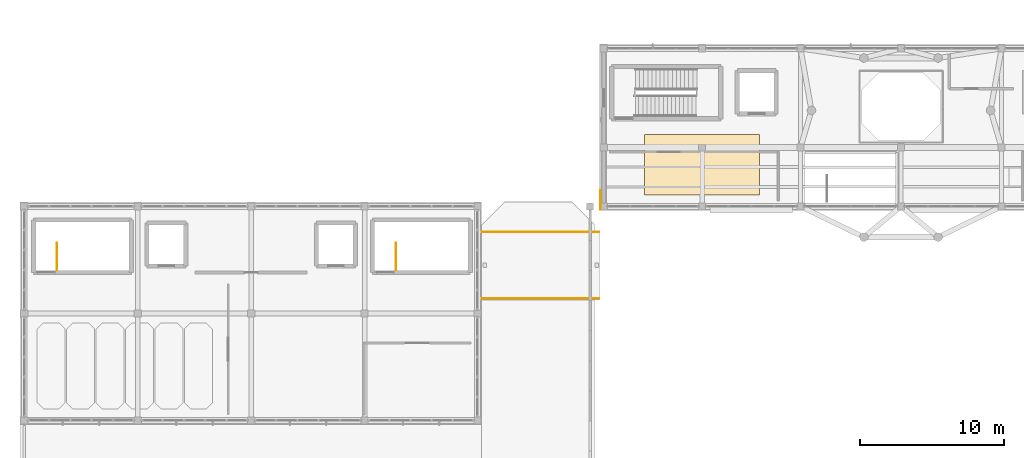
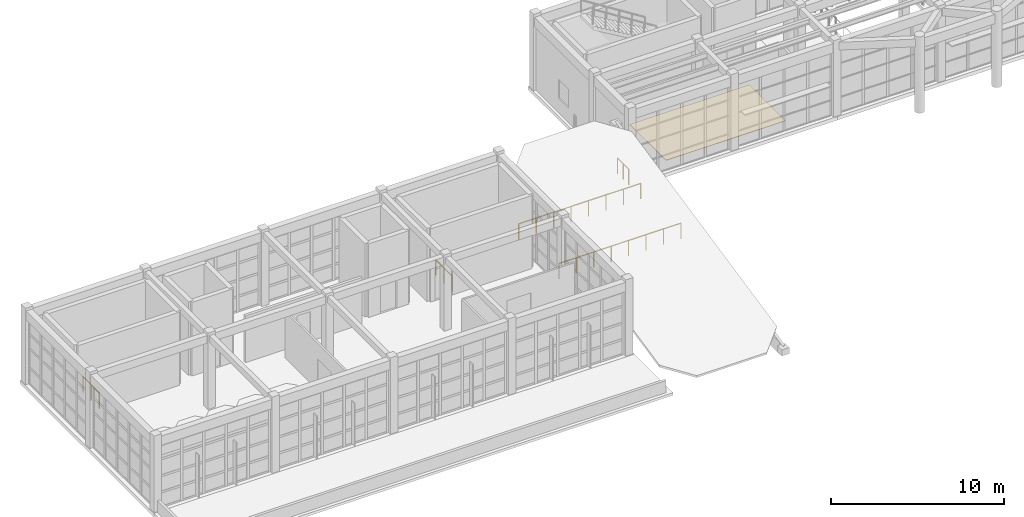
# One storey, part 97 of 103: 5 railings, 1 covering.
"""IFC4 building model written with IfcOpenShell, lengths in metres."""

from ifc_helpers import new_model, si_unit, direction, frame, origin, origin_2d, place, context, subcontext, project, spatial, rectangle, circle, extrude, material, layer, layer_set, type_object, element, save


model = new_model("IFC4")

# Units and contexts
model_context = context("Model", 3, precision=1e-05, world=origin(), true_north=direction((0.0, 1.0)))
body_context = subcontext(model_context, "Body", "Model", "MODEL_VIEW")
ifc_project = project(units=[si_unit("LENGTHUNIT", "METRE"), si_unit("AREAUNIT", "SQUARE_METRE"), si_unit("VOLUMEUNIT", "CUBIC_METRE"), si_unit("PLANEANGLEUNIT", "RADIAN"), si_unit("MASSUNIT", "GRAM", prefix="KILO")], contexts=[model_context])

# Site, building, storey
site_placement = place(None, origin())
site = spatial("IfcSite", under=ifc_project, at=site_placement, CompositionType="ELEMENT")
building_placement = place(site_placement, origin())
building = spatial("IfcBuilding", under=site, at=building_placement, Name="Candilejo Ridge Gondola Terminal", CompositionType="ELEMENT")
storey_placement = place(building_placement, frame((0.0, 0.0, 9.0)))
storey = spatial("IfcBuildingStorey", under=building, at=storey_placement, Name="L02", CompositionType="ELEMENT", Elevation=9.0)

# Covering
ifc_material_1 = material(Name="Flamed Andean grey granite tactile paving 30 mm", Category="masonry")
ifc_layer = layer(ifc_material_1, 0.030029296875)
ifc_layer_set = layer_set([ifc_layer], Name="ARC-COV-FLOORING-GRANITE")
covering_type = type_object("IfcCoveringType", Name="ARC-COV-FLOORING-GRANITE", PredefinedType="FLOORING", material=ifc_layer_set)
covering_placement = place(storey_placement, frame((51.5, 28.60009765625, 0.0), z_axis=(0.0, 0.0, 1.0), x_axis=(1.0, 0.0, 0.0)))
element("IfcCovering", 1, at=covering_placement, inside=storey, type_object=covering_type, Name="Tactile granite flooring FLR-V2-GATE-W", PredefinedType="FLOORING", context=body_context, shape_type="SweptSolid", body=[
    extrude(rectangle(XDim=8.0, YDim=4.199951171875, at=origin_2d()), origin(), (0.0, 0.0, 1.0), 0.030029296875),
])

# Railings
ifc_material_2 = material(Name="Hot-dip galvanised steel ASTM A500 Grade B", Category="steel")
railing_type_1 = type_object("IfcRailingType", Name="ARC-GUARD-GLASS-1150", PredefinedType="GUARDRAIL", material=ifc_material_2)
for number, where, name in (
    (2, (36.169921875, 19.280029296875, 0.0), "Link bridge guard LB-SJ1-L02-S"),
    (3, (36.169921875, 23.919921875, 0.0), "Link bridge guard LB-SJ1-L02-N"),
):
    element("IfcRailing", number, at=place(storey_placement, frame(where)), inside=storey, type_object=railing_type_1, Name=name, PredefinedType="GUARDRAIL", context=body_context, shape_type="SweptSolid", body=[
        extrude(circle(Radius=0.02392578125, at=origin_2d()), frame((0.0, 0.0, 1.076171875), z_axis=(1.0, 0.0, 0.0), x_axis=(0.0, 1.0, 0.0)), (0.0, 0.0, 1.0), 8.16015625),
        extrude(circle(Radius=0.02099609375, at=origin_2d()), origin(), (0.0, 0.0, 1.0), 1.052001953125),
        extrude(circle(Radius=0.02099609375, at=origin_2d()), frame((1.165771484375, 0.0, 0.0)), (0.0, 0.0, 1.0), 1.052001953125),
        extrude(circle(Radius=0.02099609375, at=origin_2d()), frame((2.33154296875, 0.0, 0.0)), (0.0, 0.0, 1.0), 1.052001953125),
        extrude(circle(Radius=0.02099609375, at=origin_2d()), frame((3.497314453125, 0.0, 0.0)), (0.0, 0.0, 1.0), 1.052001953125),
        extrude(circle(Radius=0.02099609375, at=origin_2d()), frame((4.662841796875, 0.0, 0.0)), (0.0, 0.0, 1.0), 1.052001953125),
        extrude(circle(Radius=0.02099609375, at=origin_2d()), frame((5.82861328125, 0.0, 0.0)), (0.0, 0.0, 1.0), 1.052001953125),
        extrude(circle(Radius=0.02099609375, at=origin_2d()), frame((6.994384765625, 0.0, 0.0)), (0.0, 0.0, 1.0), 1.052001953125),
        extrude(circle(Radius=0.02099609375, at=origin_2d()), frame((8.16015625, 0.0, 0.0)), (0.0, 0.0, 1.0), 1.052001953125),
    ])
railing_placement = place(storey_placement, frame((44.429931640625, 25.47998046875, 0.0)))
element("IfcRailing", 4, at=railing_placement, inside=storey, type_object=railing_type_1, Name="Deck edge guard GR-V2-L02-W1", PredefinedType="GUARDRAIL", context=body_context, shape_type="SweptSolid", body=[
    extrude(circle(Radius=0.02392578125, at=origin_2d()), frame((0.0, 0.0, 1.076171875), z_axis=(0.0, 1.0, 0.0), x_axis=(-1.0, 0.0, 0.0)), (0.0, 0.0, 1.0), 1.320068359375),
    extrude(circle(Radius=0.02099609375, at=origin_2d()), origin(), (0.0, 0.0, 1.0), 1.052001953125),
    extrude(circle(Radius=0.02099609375, at=origin_2d()), frame((0.0, 0.66015625, 0.0)), (0.0, 0.0, 1.0), 1.052001953125),
    extrude(circle(Radius=0.02099609375, at=origin_2d()), frame((0.0, 1.320068359375, 0.0)), (0.0, 0.0, 1.0), 1.052001953125),
])
ifc_material_3 = material(Name="Hot-dip galvanised steel ASTM A500 Grade B", Category="steel")
railing_type_2 = type_object("IfcRailingType", Name="ARC-STAIR-GUARD-1100", PredefinedType="GUARDRAIL", material=ifc_material_3)
for number, where, name in (
    (5, (6.580078125, 21.284912109375, 0.0), "Arrival well guard ST-V1A-L01-ARR-L02"),
    (6, (30.179931640625, 21.284912109375, 0.0), "Arrival well guard ST-V1B-L01-ARR-L02"),
):
    element("IfcRailing", number, at=place(storey_placement, frame(where)), inside=storey, type_object=railing_type_2, Name=name, PredefinedType="GUARDRAIL", context=body_context, shape_type="SweptSolid", body=[
        extrude(circle(Radius=0.02392578125, at=origin_2d()), frame((0.0, 0.0, 1.076171875), z_axis=(0.0, 1.0, 0.0), x_axis=(-1.0, 0.0, 0.0)), (0.0, 0.0, 1.0), 1.880126953125),
        extrude(circle(Radius=0.02099609375, at=origin_2d()), origin(), (0.0, 0.0, 1.0), 1.052001953125),
        extrude(circle(Radius=0.02099609375, at=origin_2d()), frame((0.0, 0.93994140625, 0.0)), (0.0, 0.0, 1.0), 1.052001953125),
        extrude(circle(Radius=0.02099609375, at=origin_2d()), frame((0.0, 1.880126953125, 0.0)), (0.0, 0.0, 1.0), 1.052001953125),
    ])

save(model, "model.ifc")
